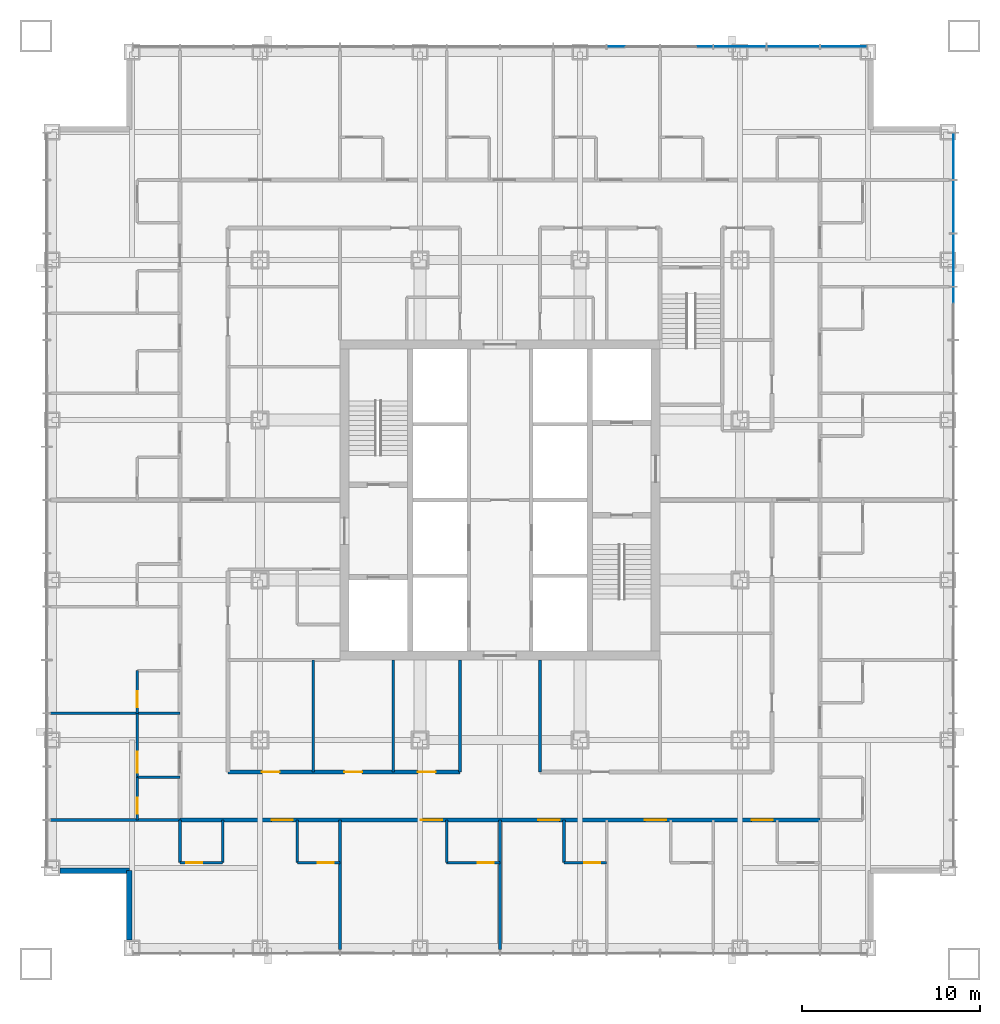
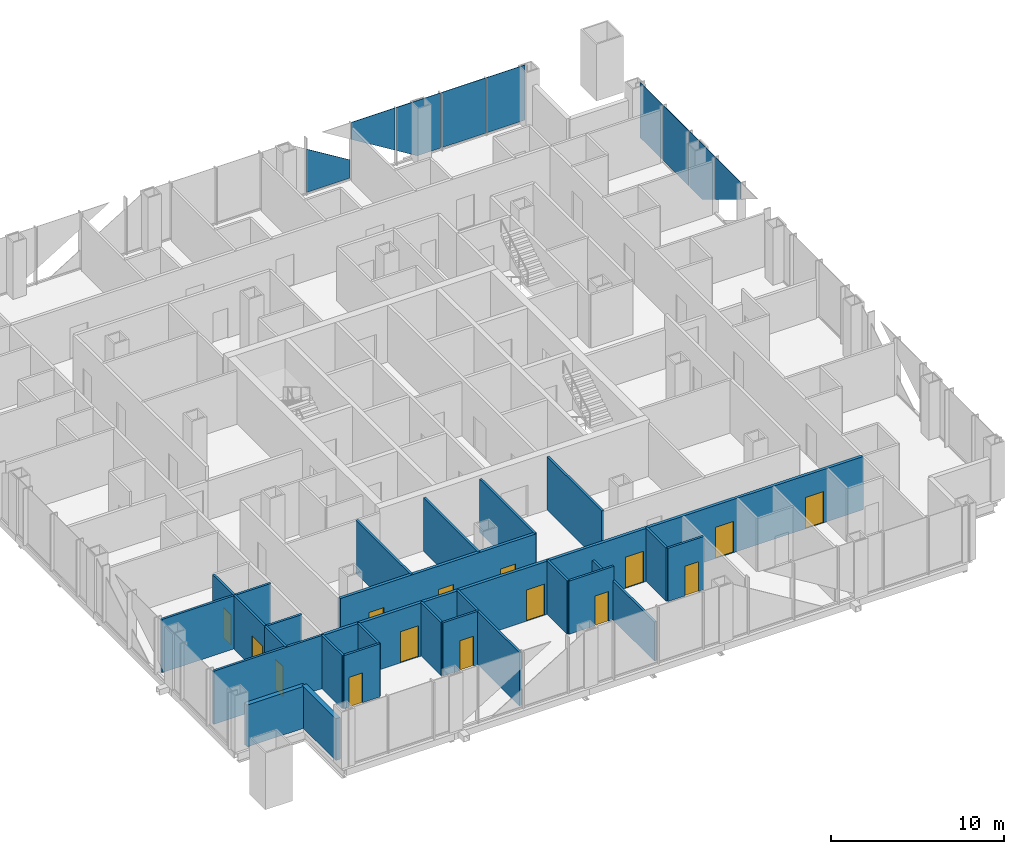
# One storey, part 7 of 14: 25 walls, 15 doors, 9 plates, 15 openings, 2 elements without a shape of their own.
"""IFC4 building model written with IfcOpenShell, lengths in metres."""

from ifc_helpers import new_model, si_unit, direction, frame, frame_2d, origin, origin_2d, place, context, subcontext, project, spatial, polyline, rectangle, outline, extrude, material, layer, layer_set, type_object, element, fill, aggregate, save


model = new_model("IFC4")

# Units and contexts
model_context = context("Model", 3, precision=1e-05, world=origin(), true_north=direction((0.0, 1.0)))
body_context = subcontext(model_context, "Body", "Model", "MODEL_VIEW")
ifc_project = project(units=[si_unit("LENGTHUNIT", "METRE"), si_unit("AREAUNIT", "SQUARE_METRE"), si_unit("VOLUMEUNIT", "CUBIC_METRE"), si_unit("PLANEANGLEUNIT", "RADIAN"), si_unit("MASSUNIT", "GRAM", prefix="KILO")], contexts=[model_context])

# Site, building, storey
site_placement = place(None, origin())
site = spatial("IfcSite", under=ifc_project, at=site_placement, CompositionType="ELEMENT")
building_placement = place(site_placement, origin())
building = spatial("IfcBuilding", under=site, at=building_placement, Name="Malebo Sky Hospital", CompositionType="ELEMENT")
storey_placement = place(building_placement, frame((0.0, 0.0, 71.0)))
storey = spatial("IfcBuildingStorey", under=building, at=storey_placement, Name="L16", CompositionType="ELEMENT", Elevation=71.0)

# Curtain wall, plates
ifc_material_1 = material(Name="Anodised aluminium, natural silver", Category="aluminium")
ifc_layer_1 = layer(ifc_material_1, 0.25)
ifc_layer_set_1 = layer_set([ifc_layer_1], Name="WARD CURTAIN WALL NORTH AND SOUTH")
curtain_wall_type_1 = type_object("IfcCurtainWallType", Name="WARD CURTAIN WALL NORTH AND SOUTH", PredefinedType="NOTDEFINED", material=ifc_layer_set_1)
curtain_wall_1_placement = place(storey_placement, origin())
curtain_wall_1 = element("IfcCurtainWall", 1, at=curtain_wall_1_placement, inside=storey, type_object=curtain_wall_type_1, Name="NS curtain wall N", PredefinedType="NOTDEFINED")
ifc_material_2 = material(Name="Clear low-iron double glazing", Category="glass")
ifc_layer_2 = layer(ifc_material_2, 0.031982421875)
ifc_layer_set_2 = layer_set([ifc_layer_2], Name="VISION PANEL CLEAR 32")
plate_type = type_object("IfcPlateType", Name="VISION PANEL CLEAR 32", PredefinedType="CURTAIN_PANEL", material=ifc_layer_set_2)
plate_1_placement = place(storey_placement, frame((67.5, 87.5, 0.10009765625), z_axis=(0.0, 0.0, 1.0), x_axis=(1.0, 0.0, 0.0)))
plate_1 = element("IfcPlate", 2, at=plate_1_placement, type_object=plate_type, Name="Panel 10", PredefinedType="CURTAIN_PANEL", context=body_context, shape_type="SweptSolid", body=[
    extrude(outline(polyline([(-1.46240234375, 0.0), (1.46240234375, 0.0), (1.46240234375, 1.272216796875), (-1.46240234375, 3.065185546875), (-1.46240234375, 0.0)])), frame((0.0, 0.01611328125, 0.0), z_axis=(0.0, -1.0, 0.0), x_axis=(1.0, 0.0, 0.0)), (0.0, 0.0, 1.0), 0.031982421875),
])
plate_2_placement = place(storey_placement, frame((70.5, 87.5, 1.00048828125), z_axis=(0.0, 0.0, 1.0), x_axis=(1.0, 0.0, 0.0)))
plate_2 = element("IfcPlate", 3, at=plate_2_placement, type_object=plate_type, Name="Panel 11", PredefinedType="CURTAIN_PANEL", context=body_context, shape_type="SweptSolid", body=[
    extrude(outline(polyline([(1.46240234375, 0.0), (1.46240234375, 2.989501953125), (-1.46240234375, 2.989501953125), (-1.46240234375, 1.793212890625), (1.46240234375, 0.0)])), frame((0.0, 0.01611328125, 0.0), z_axis=(0.0, -1.0, 0.0), x_axis=(1.0, 0.0, 0.0)), (0.0, 0.0, 1.0), 0.031982421875),
])
plate_3_placement = place(storey_placement, frame((73.5, 87.5, 0.10009765625), z_axis=(0.0, 0.0, 1.0), x_axis=(1.0, 0.0, 0.0)))
plate_3 = element("IfcPlate", 4, at=plate_3_placement, type_object=plate_type, Name="Panel 12", PredefinedType="CURTAIN_PANEL", context=body_context, shape_type="SweptSolid", body=[
    extrude(outline(polyline([(-0.068603515625, 0.0), (1.46240234375, 0.0), (1.46240234375, 3.889892578125), (-1.46240234375, 3.889892578125), (-1.46240234375, 0.8544921875), (-0.068603515625, 0.0)])), frame((0.0, 0.01611328125, 0.0), z_axis=(0.0, -1.0, 0.0), x_axis=(1.0, 0.0, 0.0)), (0.0, 0.0, 1.0), 0.031982421875),
])
plate_4_placement = place(storey_placement, frame((76.5, 87.5, 0.10009765625), z_axis=(0.0, 0.0, 1.0), x_axis=(1.0, 0.0, 0.0)))
plate_4 = element("IfcPlate", 5, at=plate_4_placement, type_object=plate_type, Name="Panel 13", PredefinedType="CURTAIN_PANEL", context=body_context, shape_type="SweptSolid", body=[
    extrude(rectangle(XDim=2.925048828125, YDim=0.031982421875, at=origin_2d()), origin(), (0.0, 0.0, 1.0), 3.889892578125),
])
plate_5_placement = place(storey_placement, frame((79.331298828125, 87.5, 0.10009765625), z_axis=(0.0, 0.0, 1.0), x_axis=(1.0, 0.0, 0.0)))
plate_5 = element("IfcPlate", 6, at=plate_5_placement, type_object=plate_type, Name="Panel 14", PredefinedType="CURTAIN_PANEL", context=body_context, shape_type="SweptSolid", body=[
    extrude(rectangle(XDim=2.58740234375, YDim=0.031982421875, at=origin_2d()), origin(), (0.0, 0.0, 1.0), 3.889892578125),
])
aggregate(curtain_wall_1, [plate_1, plate_2, plate_3, plate_4, plate_5])

ifc_layer_3 = layer(ifc_material_1, 0.25)
ifc_layer_set_3 = layer_set([ifc_layer_3], Name="WARD CURTAIN WALL EAST AND WEST")
curtain_wall_type_2 = type_object("IfcCurtainWallType", Name="WARD CURTAIN WALL EAST AND WEST", PredefinedType="NOTDEFINED", material=ifc_layer_set_3)
curtain_wall_2_placement = place(storey_placement, origin())
curtain_wall_2 = element("IfcCurtainWall", 7, at=curtain_wall_2_placement, inside=storey, type_object=curtain_wall_type_2, Name="EW curtain wall E", PredefinedType="NOTDEFINED")
plate_6_placement = place(storey_placement, frame((85.5, 81.331298828125, 0.10009765625), z_axis=(0.0, 0.0, 1.0), x_axis=(0.0, -1.0, 0.0)))
plate_6 = element("IfcPlate", 8, at=plate_6_placement, type_object=plate_type, Name="Panel 1", PredefinedType="CURTAIN_PANEL", context=body_context, shape_type="SweptSolid", body=[
    extrude(rectangle(XDim=2.58740234375, YDim=0.031982421875, at=origin_2d()), origin(), (0.0, 0.0, 1.0), 3.889892578125),
])
plate_7_placement = place(storey_placement, frame((85.5, 78.5, 0.10009765625), z_axis=(0.0, 0.0, 1.0), x_axis=(0.0, -1.0, 0.0)))
plate_7 = element("IfcPlate", 9, at=plate_7_placement, type_object=plate_type, Name="Panel 2", PredefinedType="CURTAIN_PANEL", context=body_context, shape_type="SweptSolid", body=[
    extrude(rectangle(XDim=2.925048828125, YDim=0.031982421875, at=origin_2d()), origin(), (0.0, 0.0, 1.0), 3.889892578125),
])
plate_8_placement = place(storey_placement, frame((85.5, 75.5, 0.10009765625), z_axis=(0.0, 0.0, 1.0), x_axis=(0.0, -1.0, 0.0)))
plate_8 = element("IfcPlate", 10, at=plate_8_placement, type_object=plate_type, Name="Panel 3", PredefinedType="CURTAIN_PANEL", context=body_context, shape_type="SweptSolid", body=[
    extrude(outline(polyline([(-1.46240234375, 0.0), (0.068603515625, 0.0), (1.46240234375, 0.8544921875), (1.46240234375, 3.889892578125), (-1.46240234375, 3.889892578125), (-1.46240234375, 0.0)])), frame((0.0, 0.01611328125, 0.0), z_axis=(0.0, -1.0, 0.0), x_axis=(1.0, 0.0, 0.0)), (0.0, 0.0, 1.0), 0.031982421875),
])
plate_9_placement = place(storey_placement, frame((85.5, 72.5, 1.00048828125), z_axis=(0.0, 0.0, 1.0), x_axis=(0.0, -1.0, 0.0)))
plate_9 = element("IfcPlate", 11, at=plate_9_placement, type_object=plate_type, Name="Panel 4", PredefinedType="CURTAIN_PANEL", context=body_context, shape_type="SweptSolid", body=[
    extrude(outline(polyline([(-1.46240234375, 0.0), (1.46240234375, 1.793212890625), (1.46240234375, 2.989501953125), (-1.46240234375, 2.989501953125), (-1.46240234375, 0.0)])), frame((0.0, 0.01611328125, 0.0), z_axis=(0.0, -1.0, 0.0), x_axis=(1.0, 0.0, 0.0)), (0.0, 0.0, 1.0), 0.031982421875),
])
aggregate(curtain_wall_2, [plate_6, plate_7, plate_8, plate_9])

# Wall, openings, doors
ifc_material_3 = material(Name="Gypsum board on steel studs", Category="steel")
ifc_layer_4 = layer(ifc_material_3, 0.199951171875)
ifc_layer_set_4 = layer_set([ifc_layer_4], Name="CORRIDOR WALL 200")
wall_type_1 = type_object("IfcWallType", Name="CORRIDOR WALL 200", PredefinedType="PARTITIONING", material=ifc_layer_set_4)
wall_1_placement = place(storey_placement, frame((78.0, 44.0, 0.0), z_axis=(0.0, 0.0, 1.0), x_axis=(-1.0, 0.0, 0.0)))
wall_1 = element("IfcWall", 12, at=wall_1_placement, inside=storey, type_object=wall_type_1, Name="Corridor Wall 200 SCO", PredefinedType="PARTITIONING", context=body_context, shape_type="SweptSolid", body=[
    extrude(rectangle(XDim=36.0, YDim=0.199951171875, at=frame_2d((18.0, 0.0))), origin(), (0.0, 0.0, 1.0), 3.75),
])
opening_1_placement = place(wall_1_placement, frame((2.64990234375, 0.0, 0.0)))
opening_1 = element("IfcOpeningElement", 13, at=opening_1_placement, cuts=wall_1, Name="Opening D01", PredefinedType="OPENING", context=body_context, shape_type="SweptSolid", body=[
    extrude(rectangle(XDim=1.199951171875, YDim=2.199951171875, at=frame_2d((0.60009765625, 1.10009765625))), frame((0.0, 0.10986328125, 0.0), z_axis=(0.0, -1.0, 0.0), x_axis=(1.0, 0.0, 0.0)), (0.0, 0.0, 1.0), 0.219970703125),
])
opening_2_placement = place(wall_1_placement, frame((8.64990234375, 0.0, 0.0)))
opening_2 = element("IfcOpeningElement", 14, at=opening_2_placement, cuts=wall_1, Name="Opening D01", PredefinedType="OPENING", context=body_context, shape_type="SweptSolid", body=[
    extrude(rectangle(XDim=1.199951171875, YDim=2.199951171875, at=frame_2d((0.60009765625, 1.10009765625))), frame((0.0, 0.10986328125, 0.0), z_axis=(0.0, -1.0, 0.0), x_axis=(1.0, 0.0, 0.0)), (0.0, 0.0, 1.0), 0.219970703125),
])
opening_3_placement = place(wall_1_placement, frame((14.64990234375, 0.0, 0.0)))
opening_3 = element("IfcOpeningElement", 15, at=opening_3_placement, cuts=wall_1, Name="Opening D01", PredefinedType="OPENING", context=body_context, shape_type="SweptSolid", body=[
    extrude(rectangle(XDim=1.199951171875, YDim=2.199951171875, at=frame_2d((0.60009765625, 1.10009765625))), frame((0.0, 0.10986328125, 0.0), z_axis=(0.0, -1.0, 0.0), x_axis=(1.0, 0.0, 0.0)), (0.0, 0.0, 1.0), 0.219970703125),
])
opening_4_placement = place(wall_1_placement, frame((21.25, 0.0, 0.0)))
opening_4 = element("IfcOpeningElement", 16, at=opening_4_placement, cuts=wall_1, Name="Opening D01", PredefinedType="OPENING", context=body_context, shape_type="SweptSolid", body=[
    extrude(rectangle(XDim=1.199951171875, YDim=2.199951171875, at=frame_2d((0.60009765625, 1.10009765625))), frame((0.0, 0.10986328125, 0.0), z_axis=(0.0, -1.0, 0.0), x_axis=(1.0, 0.0, 0.0)), (0.0, 0.0, 1.0), 0.219970703125),
])
opening_5_placement = place(wall_1_placement, frame((29.64990234375, 0.0, 0.0)))
opening_5 = element("IfcOpeningElement", 17, at=opening_5_placement, cuts=wall_1, Name="Opening D01", PredefinedType="OPENING", context=body_context, shape_type="SweptSolid", body=[
    extrude(rectangle(XDim=1.199951171875, YDim=2.199951171875, at=frame_2d((0.60009765625, 1.10009765625))), frame((0.0, 0.10986328125, 0.0), z_axis=(0.0, -1.0, 0.0), x_axis=(1.0, 0.0, 0.0)), (0.0, 0.0, 1.0), 0.219970703125),
])
ifc_material_4 = material(Name="Hardwood-faced door leaf in steel frame", Category="steel")
door_type_1 = type_object("IfcDoorType", Name="BED DOOR 1200", OperationType="SINGLE_SWING_LEFT", PredefinedType="DOOR", material=ifc_material_4)
door_1_placement = place(opening_1_placement, origin())
door_1 = element("IfcDoor", 18, at=door_1_placement, inside=storey, type_object=door_type_1, Name="Single bed room door", OperationType="SINGLE_SWING_LEFT", OverallHeight=2.199951171875, OverallWidth=1.199951171875, PredefinedType="DOOR", context=body_context, shape_type="SweptSolid", body=[
    extrude(rectangle(XDim=1.199951171875, YDim=2.199951171875, at=frame_2d((0.60009765625, 1.10009765625))), frame((0.0, 0.02490234375, 0.0), z_axis=(0.0, -1.0, 0.0), x_axis=(1.0, 0.0, 0.0)), (0.0, 0.0, 1.0), 0.050048828125),
])
fill(opening_1, door_1)
door_2_placement = place(opening_2_placement, origin())
door_2 = element("IfcDoor", 19, at=door_2_placement, inside=storey, type_object=door_type_1, Name="Single bed room door", OperationType="SINGLE_SWING_LEFT", OverallHeight=2.199951171875, OverallWidth=1.199951171875, PredefinedType="DOOR", context=body_context, shape_type="SweptSolid", body=[
    extrude(rectangle(XDim=1.199951171875, YDim=2.199951171875, at=frame_2d((0.60009765625, 1.10009765625))), frame((0.0, 0.02490234375, 0.0), z_axis=(0.0, -1.0, 0.0), x_axis=(1.0, 0.0, 0.0)), (0.0, 0.0, 1.0), 0.050048828125),
])
fill(opening_2, door_2)
door_3_placement = place(opening_3_placement, origin())
door_3 = element("IfcDoor", 20, at=door_3_placement, inside=storey, type_object=door_type_1, Name="Two-bed room door", OperationType="SINGLE_SWING_LEFT", OverallHeight=2.199951171875, OverallWidth=1.199951171875, PredefinedType="DOOR", context=body_context, shape_type="SweptSolid", body=[
    extrude(rectangle(XDim=1.199951171875, YDim=2.199951171875, at=frame_2d((0.60009765625, 1.10009765625))), frame((0.0, 0.02490234375, 0.0), z_axis=(0.0, -1.0, 0.0), x_axis=(1.0, 0.0, 0.0)), (0.0, 0.0, 1.0), 0.050048828125),
])
fill(opening_3, door_3)
door_4_placement = place(opening_4_placement, origin())
door_4 = element("IfcDoor", 21, at=door_4_placement, inside=storey, type_object=door_type_1, Name="Two-bed room door", OperationType="SINGLE_SWING_LEFT", OverallHeight=2.199951171875, OverallWidth=1.199951171875, PredefinedType="DOOR", context=body_context, shape_type="SweptSolid", body=[
    extrude(rectangle(XDim=1.199951171875, YDim=2.199951171875, at=frame_2d((0.60009765625, 1.10009765625))), frame((0.0, 0.02490234375, 0.0), z_axis=(0.0, -1.0, 0.0), x_axis=(1.0, 0.0, 0.0)), (0.0, 0.0, 1.0), 0.050048828125),
])
fill(opening_4, door_4)
door_5_placement = place(opening_5_placement, origin())
door_5 = element("IfcDoor", 22, at=door_5_placement, inside=storey, type_object=door_type_1, Name="Four-bed bay door", OperationType="SINGLE_SWING_LEFT", OverallHeight=2.199951171875, OverallWidth=1.199951171875, PredefinedType="DOOR", context=body_context, shape_type="SweptSolid", body=[
    extrude(rectangle(XDim=1.199951171875, YDim=2.199951171875, at=frame_2d((0.60009765625, 1.10009765625))), frame((0.0, 0.02490234375, 0.0), z_axis=(0.0, -1.0, 0.0), x_axis=(1.0, 0.0, 0.0)), (0.0, 0.0, 1.0), 0.050048828125),
])
fill(opening_5, door_5)

wall_2_placement = place(storey_placement, frame((57.75, 46.699951171875, 0.0), z_axis=(0.0, 0.0, 1.0), x_axis=(-1.0, 0.0, 0.0)))
wall_2 = element("IfcWall", 23, at=wall_2_placement, inside=storey, type_object=wall_type_1, Name="Corridor Wall 200 SCI2", PredefinedType="PARTITIONING", context=body_context, shape_type="SweptSolid", body=[
    extrude(rectangle(XDim=13.050048828125, YDim=0.199951171875, at=frame_2d((6.52490234375, 0.0))), origin(), (0.0, 0.0, 1.0), 3.75),
])
opening_6_placement = place(wall_2_placement, frame((1.375, 0.0, 0.0)))
opening_6 = element("IfcOpeningElement", 24, at=opening_6_placement, cuts=wall_2, Name="Opening D03", PredefinedType="OPENING", context=body_context, shape_type="SweptSolid", body=[
    extrude(rectangle(XDim=1.0, YDim=2.10009765625, at=frame_2d((0.5, 1.050048828125))), frame((0.0, 0.10986328125, 0.0), z_axis=(0.0, -1.0, 0.0), x_axis=(1.0, 0.0, 0.0)), (0.0, 0.0, 1.0), 0.219970703125),
])
opening_7_placement = place(wall_2_placement, frame((5.5, 0.0, 0.0)))
opening_7 = element("IfcOpeningElement", 25, at=opening_7_placement, cuts=wall_2, Name="Opening D03", PredefinedType="OPENING", context=body_context, shape_type="SweptSolid", body=[
    extrude(rectangle(XDim=1.0, YDim=2.10009765625, at=frame_2d((0.5, 1.050048828125))), frame((0.0, 0.10986328125, 0.0), z_axis=(0.0, -1.0, 0.0), x_axis=(1.0, 0.0, 0.0)), (0.0, 0.0, 1.0), 0.219970703125),
])
opening_8_placement = place(wall_2_placement, frame((10.14990234375, 0.0, 0.0)))
opening_8 = element("IfcOpeningElement", 26, at=opening_8_placement, cuts=wall_2, Name="Opening D03", PredefinedType="OPENING", context=body_context, shape_type="SweptSolid", body=[
    extrude(rectangle(XDim=1.0, YDim=2.10009765625, at=frame_2d((0.5, 1.050048828125))), frame((0.0, 0.10986328125, 0.0), z_axis=(0.0, -1.0, 0.0), x_axis=(1.0, 0.0, 0.0)), (0.0, 0.0, 1.0), 0.219970703125),
])
door_type_2 = type_object("IfcDoorType", Name="ROOM DOOR 1000", OperationType="SINGLE_SWING_LEFT", PredefinedType="DOOR", material=ifc_material_4)
door_6_placement = place(opening_6_placement, origin())
door_6 = element("IfcDoor", 27, at=door_6_placement, inside=storey, type_object=door_type_2, Name="Equipment store door", OperationType="SINGLE_SWING_LEFT", OverallHeight=2.10009765625, OverallWidth=1.0, PredefinedType="DOOR", context=body_context, shape_type="SweptSolid", body=[
    extrude(rectangle(XDim=1.0, YDim=2.10009765625, at=frame_2d((0.5, 1.050048828125))), frame((0.0, 0.02490234375, 0.0), z_axis=(0.0, -1.0, 0.0), x_axis=(1.0, 0.0, 0.0)), (0.0, 0.0, 1.0), 0.050048828125),
])
fill(opening_6, door_6)
door_7_placement = place(opening_7_placement, origin())
door_7 = element("IfcDoor", 28, at=door_7_placement, inside=storey, type_object=door_type_2, Name="Dirty utility room door", OperationType="SINGLE_SWING_LEFT", OverallHeight=2.10009765625, OverallWidth=1.0, PredefinedType="DOOR", context=body_context, shape_type="SweptSolid", body=[
    extrude(rectangle(XDim=1.0, YDim=2.10009765625, at=frame_2d((0.5, 1.050048828125))), frame((0.0, 0.02490234375, 0.0), z_axis=(0.0, -1.0, 0.0), x_axis=(1.0, 0.0, 0.0)), (0.0, 0.0, 1.0), 0.050048828125),
])
fill(opening_7, door_7)
door_8_placement = place(opening_8_placement, origin())
door_8 = element("IfcDoor", 29, at=door_8_placement, inside=storey, type_object=door_type_2, Name="Pre-operative assessment room door", OperationType="SINGLE_SWING_RIGHT", OverallHeight=2.10009765625, OverallWidth=1.0, PredefinedType="DOOR", context=body_context, shape_type="SweptSolid", body=[
    extrude(rectangle(XDim=1.0, YDim=2.10009765625, at=frame_2d((0.5, 1.050048828125))), frame((0.0, 0.02490234375, 0.0), z_axis=(0.0, -1.0, 0.0), x_axis=(1.0, 0.0, 0.0)), (0.0, 0.0, 1.0), 0.050048828125),
])
fill(opening_8, door_8)

# Walls
ifc_material_5 = material(Name="Anodised aluminium rainscreen on steel framing", Category="steel")
ifc_layer_5 = layer(ifc_material_5, 0.300048828125)
ifc_layer_set_5 = layer_set([ifc_layer_5], Name="NOTCH RAINSCREEN WALL 300")
wall_type_2 = type_object("IfcWallType", Name="NOTCH RAINSCREEN WALL 300", PredefinedType="ELEMENTEDWALL", material=ifc_layer_set_5)
for number, where, z_axis, x_axis, name in (
    (30, (39.14990234375, 37.25, 0.0), (0.0, 0.0, 1.0), (0.0, 1.0, 0.0), "Notch rainscreen wall S1 L16"),
    (31, (39.14990234375, 41.14990234375, 0.0), (0.0, 0.0, 1.0), (-1.0, 0.0, 0.0), "Notch rainscreen wall S2 L16"),
):
    element("IfcWall", number, at=place(storey_placement, frame(where, z_axis=z_axis, x_axis=x_axis)), inside=storey, type_object=wall_type_2, Name=name, PredefinedType="ELEMENTEDWALL", context=body_context, shape_type="SweptSolid", body=[
        extrude(rectangle(XDim=3.89990234375, YDim=0.300048828125, at=frame_2d((1.949951171875, 0.0))), origin(), (0.0, 0.0, 1.0), 2.949951171875),
    ])
ifc_layer_6 = layer(ifc_material_3, 0.14990234375)
ifc_layer_set_6 = layer_set([ifc_layer_6], Name="PARTITION 150")
wall_type_3 = type_object("IfcWallType", Name="PARTITION 150", PredefinedType="PARTITIONING", material=ifc_layer_set_6)
for number, where, z_axis, x_axis, name in (
    (32, (42.0, 50.0, 0.0), (0.0, 0.0, 1.0), (-1.0, 0.0, 0.0), "Partition 150 WP-12.0"),
    (33, (42.0, 44.0, 0.0), (0.0, 0.0, 1.0), (-1.0, 0.0, 0.0), "Partition 150 WP0"),
):
    element("IfcWall", number, at=place(storey_placement, frame(where, z_axis=z_axis, x_axis=x_axis)), inside=storey, type_object=wall_type_3, Name=name, PredefinedType="PARTITIONING", context=body_context, shape_type="SweptSolid", body=[
        extrude(rectangle(XDim=7.27490234375, YDim=0.14990234375, at=frame_2d((3.637451171875, 0.0))), origin(), (0.0, 0.0, 1.0), 3.75),
    ])

# Wall, opening, door
wall_3_placement = place(storey_placement, frame((39.60009765625, 44.0, 0.0), z_axis=(0.0, 0.0, 1.0), x_axis=(0.0, 1.0, 0.0)))
wall_3 = element("IfcWall", 34, at=wall_3_placement, inside=storey, type_object=wall_type_3, Name="Partition 150 WE0F", PredefinedType="PARTITIONING", context=body_context, shape_type="SweptSolid", body=[
    extrude(rectangle(XDim=2.39990234375, YDim=0.14990234375, at=frame_2d((1.199951171875, 0.0))), origin(), (0.0, 0.0, 1.0), 3.75),
])
opening_9_placement = place(wall_3_placement, frame((0.35009765625, 0.0, 0.0)))
opening_9 = element("IfcOpeningElement", 35, at=opening_9_placement, cuts=wall_3, Name="Opening D02", PredefinedType="OPENING", context=body_context, shape_type="SweptSolid", body=[
    extrude(rectangle(XDim=0.89990234375, YDim=2.10009765625, at=frame_2d((0.449951171875, 1.050048828125))), frame((0.0, 0.0849609375, 0.0), z_axis=(0.0, -1.0, 0.0), x_axis=(1.0, 0.0, 0.0)), (0.0, 0.0, 1.0), 0.169921875),
])
door_type_3 = type_object("IfcDoorType", Name="EN-SUITE DOOR 900", OperationType="SINGLE_SWING_LEFT", PredefinedType="DOOR", material=ifc_material_4)
door_9_placement = place(opening_9_placement, origin())
door_9 = element("IfcDoor", 36, at=door_9_placement, inside=storey, type_object=door_type_3, Name="En-suite door", OperationType="SINGLE_SWING_LEFT", OverallHeight=2.10009765625, OverallWidth=0.89990234375, PredefinedType="DOOR", context=body_context, shape_type="SweptSolid", body=[
    extrude(rectangle(XDim=0.89990234375, YDim=2.10009765625, at=frame_2d((0.449951171875, 1.050048828125))), frame((0.0, 0.02490234375, 0.0), z_axis=(0.0, -1.0, 0.0), x_axis=(1.0, 0.0, 0.0)), (0.0, 0.0, 1.0), 0.050048828125),
])
fill(opening_9, door_9)

# Wall
wall_4_placement = place(storey_placement, frame((42.0, 46.39990234375, 0.0), z_axis=(0.0, 0.0, 1.0), x_axis=(-1.0, 0.0, 0.0)))
element("IfcWall", 37, at=wall_4_placement, inside=storey, type_object=wall_type_3, Name="Partition 150 WE0S", PredefinedType="PARTITIONING", context=body_context, shape_type="SweptSolid", body=[
    extrude(rectangle(XDim=2.39990234375, YDim=0.14990234375, at=frame_2d((1.199951171875, 0.0))), origin(), (0.0, 0.0, 1.0), 3.75),
])

# Wall, opening, door
wall_5_placement = place(storey_placement, frame((39.60009765625, 50.0, 0.0), z_axis=(0.0, 0.0, 1.0), x_axis=(0.0, 1.0, 0.0)))
wall_5 = element("IfcWall", 38, at=wall_5_placement, inside=storey, type_object=wall_type_3, Name="Partition 150 WE1F", PredefinedType="PARTITIONING", context=body_context, shape_type="SweptSolid", body=[
    extrude(rectangle(XDim=2.39990234375, YDim=0.14990234375, at=frame_2d((1.199951171875, 0.0))), origin(), (0.0, 0.0, 1.0), 3.75),
])
opening_10_placement = place(wall_5_placement, frame((0.35009765625, 0.0, 0.0)))
opening_10 = element("IfcOpeningElement", 39, at=opening_10_placement, cuts=wall_5, Name="Opening D02", PredefinedType="OPENING", context=body_context, shape_type="SweptSolid", body=[
    extrude(rectangle(XDim=0.89990234375, YDim=2.10009765625, at=frame_2d((0.449951171875, 1.050048828125))), frame((0.0, 0.0849609375, 0.0), z_axis=(0.0, -1.0, 0.0), x_axis=(1.0, 0.0, 0.0)), (0.0, 0.0, 1.0), 0.169921875),
])
door_10_placement = place(opening_10_placement, origin())
door_10 = element("IfcDoor", 40, at=door_10_placement, inside=storey, type_object=door_type_3, Name="En-suite door", OperationType="SINGLE_SWING_LEFT", OverallHeight=2.10009765625, OverallWidth=0.89990234375, PredefinedType="DOOR", context=body_context, shape_type="SweptSolid", body=[
    extrude(rectangle(XDim=0.89990234375, YDim=2.10009765625, at=frame_2d((0.449951171875, 1.050048828125))), frame((0.0, 0.02490234375, 0.0), z_axis=(0.0, -1.0, 0.0), x_axis=(1.0, 0.0, 0.0)), (0.0, 0.0, 1.0), 0.050048828125),
])
fill(opening_10, door_10)

# Walls
wall_6_placement = place(storey_placement, frame((60.0, 44.0, 0.0), z_axis=(0.0, 0.0, 1.0), x_axis=(0.0, -1.0, 0.0)))
element("IfcWall", 41, at=wall_6_placement, inside=storey, type_object=wall_type_3, Name="Partition 150 SP+0.0", PredefinedType="PARTITIONING", context=body_context, shape_type="SweptSolid", body=[
    extrude(rectangle(XDim=7.27490234375, YDim=0.14990234375, at=frame_2d((3.637451171875, 0.0))), origin(), (0.0, 0.0, 1.0), 2.75),
])
wall_7_placement = place(storey_placement, frame((51.0, 44.0, 0.0), z_axis=(0.0, 0.0, 1.0), x_axis=(0.0, -1.0, 0.0)))
element("IfcWall", 42, at=wall_7_placement, inside=storey, type_object=wall_type_3, Name="Partition 150 SP+9.0", PredefinedType="PARTITIONING", context=body_context, shape_type="SweptSolid", body=[
    extrude(rectangle(XDim=7.27490234375, YDim=0.14990234375, at=frame_2d((3.637451171875, 0.0))), origin(), (0.0, 0.0, 1.0), 3.75),
])

# Wall, opening, door
wall_8_placement = place(storey_placement, frame((66.0, 41.60009765625, 0.0), z_axis=(0.0, 0.0, 1.0), x_axis=(-1.0, 0.0, 0.0)))
wall_8 = element("IfcWall", 43, at=wall_8_placement, inside=storey, type_object=wall_type_3, Name="Partition 150 SE2F", PredefinedType="PARTITIONING", context=body_context, shape_type="SweptSolid", body=[
    extrude(rectangle(XDim=2.39990234375, YDim=0.14990234375, at=frame_2d((1.199951171875, 0.0))), origin(), (0.0, 0.0, 1.0), 3.75),
])
opening_11_placement = place(wall_8_placement, frame((0.35009765625, 0.0, 0.0)))
opening_11 = element("IfcOpeningElement", 44, at=opening_11_placement, cuts=wall_8, Name="Opening D02", PredefinedType="OPENING", context=body_context, shape_type="SweptSolid", body=[
    extrude(rectangle(XDim=0.89990234375, YDim=2.10009765625, at=frame_2d((0.449951171875, 1.050048828125))), frame((0.0, 0.0849609375, 0.0), z_axis=(0.0, -1.0, 0.0), x_axis=(1.0, 0.0, 0.0)), (0.0, 0.0, 1.0), 0.169921875),
])
door_11_placement = place(opening_11_placement, origin())
door_11 = element("IfcDoor", 45, at=door_11_placement, inside=storey, type_object=door_type_3, Name="En-suite door", OperationType="SINGLE_SWING_LEFT", OverallHeight=2.10009765625, OverallWidth=0.89990234375, PredefinedType="DOOR", context=body_context, shape_type="SweptSolid", body=[
    extrude(rectangle(XDim=0.89990234375, YDim=2.10009765625, at=frame_2d((0.449951171875, 1.050048828125))), frame((0.0, 0.02490234375, 0.0), z_axis=(0.0, -1.0, 0.0), x_axis=(1.0, 0.0, 0.0)), (0.0, 0.0, 1.0), 0.050048828125),
])
fill(opening_11, door_11)

# Wall
wall_9_placement = place(storey_placement, frame((63.60009765625, 44.0, 0.0), z_axis=(0.0, 0.0, 1.0), x_axis=(0.0, -1.0, 0.0)))
element("IfcWall", 46, at=wall_9_placement, inside=storey, type_object=wall_type_3, Name="Partition 150 SE2S", PredefinedType="PARTITIONING", context=body_context, shape_type="SweptSolid", body=[
    extrude(rectangle(XDim=2.39990234375, YDim=0.14990234375, at=frame_2d((1.199951171875, 0.0))), origin(), (0.0, 0.0, 1.0), 3.75),
])

# Wall, opening, door
wall_10_placement = place(storey_placement, frame((60.0, 41.60009765625, 0.0), z_axis=(0.0, 0.0, 1.0), x_axis=(-1.0, 0.0, 0.0)))
wall_10 = element("IfcWall", 47, at=wall_10_placement, inside=storey, type_object=wall_type_3, Name="Partition 150 SE3F", PredefinedType="PARTITIONING", context=body_context, shape_type="SweptSolid", body=[
    extrude(rectangle(XDim=3.0, YDim=0.14990234375, at=frame_2d((1.5, 0.0))), origin(), (0.0, 0.0, 1.0), 3.75),
])
opening_12_placement = place(wall_10_placement, frame((0.35009765625, 0.0, 0.0)))
opening_12 = element("IfcOpeningElement", 48, at=opening_12_placement, cuts=wall_10, Name="Opening D02", PredefinedType="OPENING", context=body_context, shape_type="SweptSolid", body=[
    extrude(rectangle(XDim=0.89990234375, YDim=2.10009765625, at=frame_2d((0.449951171875, 1.050048828125))), frame((0.0, 0.0849609375, 0.0), z_axis=(0.0, -1.0, 0.0), x_axis=(1.0, 0.0, 0.0)), (0.0, 0.0, 1.0), 0.169921875),
])
door_12_placement = place(opening_12_placement, origin())
door_12 = element("IfcDoor", 49, at=door_12_placement, inside=storey, type_object=door_type_3, Name="En-suite door", OperationType="SINGLE_SWING_LEFT", OverallHeight=2.10009765625, OverallWidth=0.89990234375, PredefinedType="DOOR", context=body_context, shape_type="SweptSolid", body=[
    extrude(rectangle(XDim=0.89990234375, YDim=2.10009765625, at=frame_2d((0.449951171875, 1.050048828125))), frame((0.0, 0.02490234375, 0.0), z_axis=(0.0, -1.0, 0.0), x_axis=(1.0, 0.0, 0.0)), (0.0, 0.0, 1.0), 0.050048828125),
])
fill(opening_12, door_12)

# Wall
wall_11_placement = place(storey_placement, frame((57.0, 44.0, 0.0), z_axis=(0.0, 0.0, 1.0), x_axis=(0.0, -1.0, 0.0)))
element("IfcWall", 50, at=wall_11_placement, inside=storey, type_object=wall_type_3, Name="Partition 150 SE3S", PredefinedType="PARTITIONING", context=body_context, shape_type="SweptSolid", body=[
    extrude(rectangle(XDim=2.39990234375, YDim=0.14990234375, at=frame_2d((1.199951171875, 0.0))), origin(), (0.0, 0.0, 1.0), 3.75),
])

# Wall, opening, door
wall_12_placement = place(storey_placement, frame((51.0, 41.60009765625, 0.0), z_axis=(0.0, 0.0, 1.0), x_axis=(-1.0, 0.0, 0.0)))
wall_12 = element("IfcWall", 51, at=wall_12_placement, inside=storey, type_object=wall_type_3, Name="Partition 150 SE4F", PredefinedType="PARTITIONING", context=body_context, shape_type="SweptSolid", body=[
    extrude(rectangle(XDim=2.39990234375, YDim=0.14990234375, at=frame_2d((1.199951171875, 0.0))), origin(), (0.0, 0.0, 1.0), 3.75),
])
opening_13_placement = place(wall_12_placement, frame((0.35009765625, 0.0, 0.0)))
opening_13 = element("IfcOpeningElement", 52, at=opening_13_placement, cuts=wall_12, Name="Opening D02", PredefinedType="OPENING", context=body_context, shape_type="SweptSolid", body=[
    extrude(rectangle(XDim=0.89990234375, YDim=2.10009765625, at=frame_2d((0.449951171875, 1.050048828125))), frame((0.0, 0.0849609375, 0.0), z_axis=(0.0, -1.0, 0.0), x_axis=(1.0, 0.0, 0.0)), (0.0, 0.0, 1.0), 0.169921875),
])
door_13_placement = place(opening_13_placement, origin())
door_13 = element("IfcDoor", 53, at=door_13_placement, inside=storey, type_object=door_type_3, Name="En-suite door", OperationType="SINGLE_SWING_LEFT", OverallHeight=2.10009765625, OverallWidth=0.89990234375, PredefinedType="DOOR", context=body_context, shape_type="SweptSolid", body=[
    extrude(rectangle(XDim=0.89990234375, YDim=2.10009765625, at=frame_2d((0.449951171875, 1.050048828125))), frame((0.0, 0.02490234375, 0.0), z_axis=(0.0, -1.0, 0.0), x_axis=(1.0, 0.0, 0.0)), (0.0, 0.0, 1.0), 0.050048828125),
])
fill(opening_13, door_13)

# Wall
wall_13_placement = place(storey_placement, frame((48.60009765625, 44.0, 0.0), z_axis=(0.0, 0.0, 1.0), x_axis=(0.0, -1.0, 0.0)))
element("IfcWall", 54, at=wall_13_placement, inside=storey, type_object=wall_type_3, Name="Partition 150 SE4S", PredefinedType="PARTITIONING", context=body_context, shape_type="SweptSolid", body=[
    extrude(rectangle(XDim=2.39990234375, YDim=0.14990234375, at=frame_2d((1.199951171875, 0.0))), origin(), (0.0, 0.0, 1.0), 3.75),
])

# Wall, opening, door
wall_14_placement = place(storey_placement, frame((44.39990234375, 41.60009765625, 0.0), z_axis=(0.0, 0.0, 1.0), x_axis=(-1.0, 0.0, 0.0)))
wall_14 = element("IfcWall", 55, at=wall_14_placement, inside=storey, type_object=wall_type_3, Name="Partition 150 SG4F", PredefinedType="PARTITIONING", context=body_context, shape_type="SweptSolid", body=[
    extrude(rectangle(XDim=2.39990234375, YDim=0.14990234375, at=frame_2d((1.199951171875, 0.0))), origin(), (0.0, 0.0, 1.0), 3.75),
])
opening_14_placement = place(wall_14_placement, frame((1.14990234375, 0.0, 0.0)))
opening_14 = element("IfcOpeningElement", 56, at=opening_14_placement, cuts=wall_14, Name="Opening D02", PredefinedType="OPENING", context=body_context, shape_type="SweptSolid", body=[
    extrude(rectangle(XDim=0.89990234375, YDim=2.10009765625, at=frame_2d((0.449951171875, 1.050048828125))), frame((0.0, 0.0849609375, 0.0), z_axis=(0.0, -1.0, 0.0), x_axis=(1.0, 0.0, 0.0)), (0.0, 0.0, 1.0), 0.169921875),
])
door_14_placement = place(opening_14_placement, origin())
door_14 = element("IfcDoor", 57, at=door_14_placement, inside=storey, type_object=door_type_3, Name="En-suite door", OperationType="SINGLE_SWING_RIGHT", OverallHeight=2.10009765625, OverallWidth=0.89990234375, PredefinedType="DOOR", context=body_context, shape_type="SweptSolid", body=[
    extrude(rectangle(XDim=0.89990234375, YDim=2.10009765625, at=frame_2d((0.449951171875, 1.050048828125))), frame((0.0, 0.02490234375, 0.0), z_axis=(0.0, -1.0, 0.0), x_axis=(1.0, 0.0, 0.0)), (0.0, 0.0, 1.0), 0.050048828125),
])
fill(opening_14, door_14)

# Walls
for number, where, z_axis, x_axis, name in (
    (58, (44.39990234375, 44.0, 0.0), (0.0, 0.0, 1.0), (0.0, -1.0, 0.0), "Partition 150 SG4S"),
    (59, (42.0, 44.0, 0.0), (0.0, 0.0, 1.0), (0.0, -1.0, 0.0), "Partition 150 SEZ"),
):
    element("IfcWall", number, at=place(storey_placement, frame(where, z_axis=z_axis, x_axis=x_axis)), inside=storey, type_object=wall_type_3, Name=name, PredefinedType="PARTITIONING", context=body_context, shape_type="SweptSolid", body=[
        extrude(rectangle(XDim=2.39990234375, YDim=0.14990234375, at=frame_2d((1.199951171875, 0.0))), origin(), (0.0, 0.0, 1.0), 3.75),
    ])
for number, where, z_axis, x_axis, name in (
    (60, (62.25, 53.0, 0.0), (0.0, 0.0, 1.0), (0.0, -1.0, 0.0), "Partition 150 SSPA"),
    (61, (57.75, 53.0, 0.0), (0.0, 0.0, 1.0), (0.0, -1.0, 0.0), "Partition 150 SSPB"),
    (62, (54.0, 53.0, 0.0), (0.0, 0.0, 1.0), (0.0, -1.0, 0.0), "Partition 150 SSP+6.0"),
    (63, (49.5, 53.0, 0.0), (0.0, 0.0, 1.0), (0.0, -1.0, 0.0), "Partition 150 SSP+10.5"),
):
    element("IfcWall", number, at=place(storey_placement, frame(where, z_axis=z_axis, x_axis=x_axis)), inside=storey, type_object=wall_type_3, Name=name, PredefinedType="PARTITIONING", context=body_context, shape_type="SweptSolid", body=[
        extrude(rectangle(XDim=6.300048828125, YDim=0.14990234375, at=frame_2d((3.14990234375, 0.0))), origin(), (0.0, 0.0, 1.0), 3.75),
    ])

# Wall, opening, door
ifc_material_6 = material(Name="Sealed gypsum board on steel studs, taped to the slab", Category="steel")
ifc_layer_7 = layer(ifc_material_6, 0.14990234375)
ifc_layer_set_7 = layer_set([ifc_layer_7], Name="SEALED ISOLATION PARTITION 150")
wall_type_4 = type_object("IfcWallType", Name="SEALED ISOLATION PARTITION 150", PredefinedType="PARTITIONING", material=ifc_layer_set_7)
wall_15_placement = place(storey_placement, frame((39.60009765625, 46.39990234375, 0.0), z_axis=(0.0, 0.0, 1.0), x_axis=(0.0, 1.0, 0.0)))
wall_15 = element("IfcWall", 64, at=wall_15_placement, inside=storey, type_object=wall_type_4, Name="Sealed Isolation Partition 150 WA0F", PredefinedType="PARTITIONING", context=body_context, shape_type="SweptSolid", body=[
    extrude(rectangle(XDim=3.60009765625, YDim=0.14990234375, at=frame_2d((1.800048828125, 0.0))), origin(), (0.0, 0.0, 1.0), 3.75),
])
opening_15_placement = place(wall_15_placement, frame((0.25, 0.0, 0.0)))
opening_15 = element("IfcOpeningElement", 65, at=opening_15_placement, cuts=wall_15, Name="Opening D19", PredefinedType="OPENING", context=body_context, shape_type="SweptSolid", body=[
    extrude(rectangle(XDim=1.199951171875, YDim=2.199951171875, at=frame_2d((0.60009765625, 1.10009765625))), frame((0.0, 0.0849609375, 0.0), z_axis=(0.0, -1.0, 0.0), x_axis=(1.0, 0.0, 0.0)), (0.0, 0.0, 1.0), 0.169921875),
])
ifc_material_7 = material(Name="Hardwood-faced door leaf with perimeter seals in steel frame", Category="steel")
door_type_4 = type_object("IfcDoorType", Name="SEALED ISOLATION ROOM DOOR 1200", OperationType="SINGLE_SWING_LEFT", PredefinedType="DOOR", material=ifc_material_7)
door_15_placement = place(opening_15_placement, origin())
door_15 = element("IfcDoor", 66, at=door_15_placement, inside=storey, type_object=door_type_4, Name="Isolation room door", OperationType="SINGLE_SWING_LEFT", OverallHeight=2.199951171875, OverallWidth=1.199951171875, PredefinedType="DOOR", context=body_context, shape_type="SweptSolid", body=[
    extrude(rectangle(XDim=1.199951171875, YDim=2.199951171875, at=frame_2d((0.60009765625, 1.10009765625))), frame((0.0, 0.02490234375, 0.0), z_axis=(0.0, -1.0, 0.0), x_axis=(1.0, 0.0, 0.0)), (0.0, 0.0, 1.0), 0.050048828125),
])
fill(opening_15, door_15)

save(model, "model.ifc")
